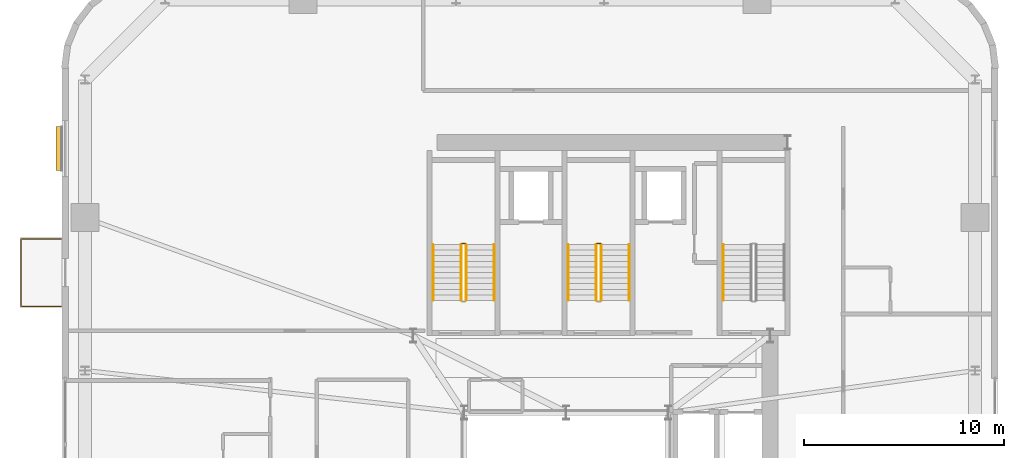
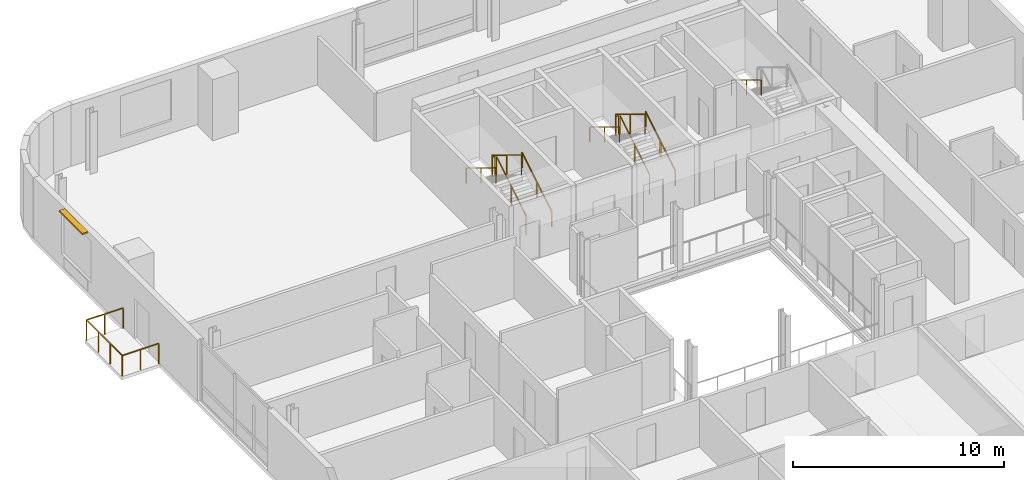
# One storey, part 15 of 16: 12 railings, 1 shading device.
"""IFC4 building model written with IfcOpenShell, lengths in metres."""

from ifc_helpers import new_model, si_unit, direction, frame, origin, origin_2d, place, context, subcontext, project, spatial, rectangle, extrude, source, transform, mapped, material, layer, layer_set, type_object, element, save


model = new_model("IFC4")

# Units and contexts
model_context = context("Model", 3, precision=1e-05, world=origin(), true_north=direction((0.0, 1.0)))
body_context = subcontext(model_context, "Body", "Model", "MODEL_VIEW")
ifc_project = project(units=[si_unit("LENGTHUNIT", "METRE"), si_unit("AREAUNIT", "SQUARE_METRE"), si_unit("VOLUMEUNIT", "CUBIC_METRE"), si_unit("PLANEANGLEUNIT", "RADIAN"), si_unit("MASSUNIT", "GRAM", prefix="KILO")], contexts=[model_context])

# Site, building, storey
site_placement = place(None, origin())
site = spatial("IfcSite", under=ifc_project, at=site_placement, CompositionType="ELEMENT")
building_placement = place(site_placement, origin())
building = spatial("IfcBuilding", under=site, at=building_placement, Name="Vardaveli Station Tower", CompositionType="ELEMENT")
storey_placement = place(building_placement, frame((0.0, 0.0, 203.550048828125)))
storey = spatial("IfcBuildingStorey", under=building, at=storey_placement, Name="L52", CompositionType="ELEMENT", Elevation=203.550048828125)

# Shading device
ifc_material_1 = material(Name="Anodised champagne aluminium sunshade", Category="aluminium")
ifc_layer = layer(ifc_material_1, 0.090087890625, Name="Anodised champagne aluminium sunshade")
ifc_layer_set = layer_set([ifc_layer], Name="Anodised champagne aluminium sunshade")
shading_device_type = type_object("IfcShadingDeviceType", Name="SHD-SUNSHADE", PredefinedType="USERDEFINED", material=ifc_layer_set)
shared_shape_1 = source(origin(), body_context, "Body", "SweptSolid", [
    extrude(rectangle(XDim=2.199951171875, YDim=0.320068359375, at=origin_2d()), origin(), (0.0, 0.0, 1.0), 0.090087890625),
])
shading_device_placement = place(storey_placement, frame((10.955078125, 39.9951171875, 3.40966796875), z_axis=(0.0, 0.0, 1.0), x_axis=(0.0, 1.0, 0.0)))
element("IfcShadingDevice", 1, at=shading_device_placement, inside=storey, type_object=shading_device_type, Name="SHD-SS-L52-W", ObjectType="SUNSHADE", PredefinedType="USERDEFINED", context=body_context, shape_type="MappedRepresentation", body=[
    mapped(shared_shape_1, transform((0.0, 0.0, 0.0), scale=1.0)),
])

# Railings
ifc_material_2 = material(Name="Laminated glass and stainless steel balustrade", Category="steel")
railing_type_1 = type_object("IfcRailingType", Name="RL-BAL-1200", PredefinedType="BALUSTRADE", material=ifc_material_2)
shared_shape_2 = source(origin(), body_context, "Body", "SweptSolid", [
    extrude(rectangle(XDim=0.048095703125, YDim=0.048095703125, at=origin_2d()), frame((0.0, 0.0, 1.17578125), z_axis=(-1.0, 0.0, 0.0), x_axis=(0.0, -1.0, 0.0)), (0.0, 0.0, 1.0), 2.0),
    extrude(rectangle(XDim=0.048095703125, YDim=0.048095703125, at=origin_2d()), frame((-2.0, 0.0, 1.17578125), z_axis=(0.0, 1.0, 0.0), x_axis=(-1.0, 0.0, 0.0)), (0.0, 0.0, 1.0), 3.3798828125),
    extrude(rectangle(XDim=0.048095703125, YDim=0.048095703125, at=origin_2d()), frame((-2.0, 3.3798828125, 1.17578125), z_axis=(1.0, 0.0, 0.0), x_axis=(0.0, 1.0, 0.0)), (0.0, 0.0, 1.0), 2.0),
    extrude(rectangle(XDim=0.0419921875, YDim=0.0419921875, at=origin_2d()), origin(), (0.0, 0.0, 1.0), 1.15185546875),
    extrude(rectangle(XDim=0.0419921875, YDim=0.0419921875, at=origin_2d()), frame((-1.0, 0.0, 0.0)), (0.0, 0.0, 1.0), 1.15185546875),
    extrude(rectangle(XDim=0.0419921875, YDim=0.0419921875, at=origin_2d()), frame((-2.0, 0.0, 0.0)), (0.0, 0.0, 1.0), 1.15185546875),
    extrude(rectangle(XDim=0.0419921875, YDim=0.0419921875, at=origin_2d()), frame((-2.0, 1.126708984375, 0.0)), (0.0, 0.0, 1.0), 1.15185546875),
    extrude(rectangle(XDim=0.0419921875, YDim=0.0419921875, at=origin_2d()), frame((-2.0, 2.253173828125, 0.0)), (0.0, 0.0, 1.0), 1.15185546875),
    extrude(rectangle(XDim=0.0419921875, YDim=0.0419921875, at=origin_2d()), frame((-2.0, 3.3798828125, 0.0)), (0.0, 0.0, 1.0), 1.15185546875),
    extrude(rectangle(XDim=0.0419921875, YDim=0.0419921875, at=origin_2d()), frame((-1.0, 3.3798828125, 0.0)), (0.0, 0.0, 1.0), 1.15185546875),
    extrude(rectangle(XDim=0.0419921875, YDim=0.0419921875, at=origin_2d()), frame((0.0, 3.3798828125, 0.0)), (0.0, 0.0, 1.0), 1.15185546875),
])
railing_placement = place(storey_placement, frame((11.06005859375, 32.099609375, 0.0)))
element("IfcRailing", 2, at=railing_placement, inside=storey, type_object=railing_type_1, Name="RL-LOG-L52-03", PredefinedType="BALUSTRADE", context=body_context, shape_type="MappedRepresentation", body=[
    mapped(shared_shape_2, transform((0.0, 0.0, 0.0), scale=1.0)),
])
ifc_material_3 = material(Name="Brushed AISI 316 stainless steel", Category="steel")
railing_type_2 = type_object("IfcRailingType", Name="RL-GUARD-1150", PredefinedType="GUARDRAIL", material=ifc_material_3)
shared_shape_3 = source(origin(), body_context, "Body", "SweptSolid", [
    extrude(rectangle(XDim=0.048095703125, YDim=0.048095703125, at=origin_2d()), frame((0.0, 0.0, 1.1259765625), z_axis=(-1.0, 0.0, 0.0), x_axis=(0.0, -1.0, 0.0)), (0.0, 0.0, 1.0), 0.14990234375),
    extrude(rectangle(XDim=0.0419921875, YDim=0.0419921875, at=origin_2d()), origin(), (0.0, 0.0, 1.0), 1.101806640625),
    extrude(rectangle(XDim=0.0419921875, YDim=0.0419921875, at=origin_2d()), frame((-0.14990234375, 0.0, 0.0)), (0.0, 0.0, 1.0), 1.101806640625),
])
for number, where, name in (
    (3, (31.25, 35.25, 1.875), "L52 ST-1 stair guard 2"),
    (4, (38.0, 35.25, 1.875), "L52 ST-2 stair guard 2"),
):
    element("IfcRailing", number, at=place(storey_placement, frame(where)), inside=storey, type_object=railing_type_2, Name=name, PredefinedType="GUARDRAIL", context=body_context, shape_type="MappedRepresentation", body=[
        mapped(shared_shape_3, transform((0.0, 0.0, 0.0), scale=1.0)),
    ])
shared_shape_4 = source(origin(), body_context, "Body", "SweptSolid", [
    extrude(rectangle(XDim=0.048095703125, YDim=0.048095703125, at=origin_2d()), frame((0.0, 0.0, 1.1259765625), z_axis=(0.0, 0.854169791009, 0.51999420009), x_axis=(-1.0, 0.0, 0.0)), (0.0, 0.0, 1.0), 3.278076171875),
    extrude(rectangle(XDim=0.0419921875, YDim=0.0419921875, at=origin_2d()), origin(), (0.0, 0.0, 1.0), 1.101806640625),
    extrude(rectangle(XDim=0.0419921875, YDim=0.0419921875, at=origin_2d()), frame((0.0, 1.39990234375, 0.852294921875)), (0.0, 0.0, 1.0), 1.101806640625),
    extrude(rectangle(XDim=0.0419921875, YDim=0.0419921875, at=origin_2d()), frame((0.0, 2.800048828125, 1.70458984375)), (0.0, 0.0, 1.0), 1.101806640625),
])
for number, where, name in (
    (5, (31.300048828125, 32.39990234375, 0.17041015625), "L52 ST-1 stair guard 1"),
    (6, (38.050048828125, 32.39990234375, 0.17041015625), "L52 ST-2 stair guard 1"),
):
    element("IfcRailing", number, at=place(storey_placement, frame(where)), inside=storey, type_object=railing_type_2, Name=name, PredefinedType="GUARDRAIL", context=body_context, shape_type="MappedRepresentation", body=[
        mapped(shared_shape_4, transform((0.0, 0.0, 0.0), scale=1.0)),
    ])
shared_shape_5 = source(origin(), body_context, "Body", "SweptSolid", [
    extrude(rectangle(XDim=0.048095703125, YDim=0.048095703125, at=origin_2d()), frame((0.0, 0.0, 1.1259765625), z_axis=(0.0, -0.854169791009, 0.51999420009), x_axis=(1.0, 0.0, 0.0)), (0.0, 0.0, 1.0), 3.278076171875),
    extrude(rectangle(XDim=0.0419921875, YDim=0.0419921875, at=origin_2d()), origin(), (0.0, 0.0, 1.0), 1.101806640625),
    extrude(rectangle(XDim=0.0419921875, YDim=0.0419921875, at=origin_2d()), frame((0.0, -1.39990234375, 0.852294921875)), (0.0, 0.0, 1.0), 1.101806640625),
    extrude(rectangle(XDim=0.0419921875, YDim=0.0419921875, at=origin_2d()), frame((0.0, -2.800048828125, 1.70458984375)), (0.0, 0.0, 1.0), 1.101806640625),
])
for number, where, name in (
    (7, (31.050048828125, 35.199951171875, 2.04541015625), "L52 ST-1 stair guard 3"),
    (8, (37.800048828125, 35.199951171875, 2.04541015625), "L52 ST-2 stair guard 3"),
):
    element("IfcRailing", number, at=place(storey_placement, frame(where)), inside=storey, type_object=railing_type_2, Name=name, PredefinedType="GUARDRAIL", context=body_context, shape_type="MappedRepresentation", body=[
        mapped(shared_shape_5, transform((0.0, 0.0, 0.0), scale=1.0)),
    ])
railing_type_3 = type_object("IfcRailingType", Name="RL-HAND-900", PredefinedType="HANDRAIL", material=ifc_material_3)
shared_shape_6 = source(origin(), body_context, "Body", "SweptSolid", [
    extrude(rectangle(XDim=0.048095703125, YDim=0.048095703125, at=origin_2d()), frame((0.0, 0.0, 0.8759765625), z_axis=(0.0, 0.854169791009, 0.51999420009), x_axis=(-1.0, 0.0, 0.0)), (0.0, 0.0, 1.0), 3.278076171875),
    extrude(rectangle(XDim=0.0419921875, YDim=0.0419921875, at=origin_2d()), origin(), (0.0, 0.0, 1.0), 0.851806640625),
    extrude(rectangle(XDim=0.0419921875, YDim=0.0419921875, at=origin_2d()), frame((0.0, 1.39990234375, 0.852294921875)), (0.0, 0.0, 1.0), 0.851806640625),
    extrude(rectangle(XDim=0.0419921875, YDim=0.0419921875, at=origin_2d()), frame((0.0, 2.800048828125, 1.70458984375)), (0.0, 0.0, 1.0), 0.851806640625),
])
for number, where, name in (
    (9, (32.699951171875, 32.39990234375, 0.17041015625), "L52 ST-1 stair handrail 1"),
    (10, (39.449951171875, 32.39990234375, 0.17041015625), "L52 ST-2 stair handrail 1"),
):
    element("IfcRailing", number, at=place(storey_placement, frame(where)), inside=storey, type_object=railing_type_3, Name=name, PredefinedType="HANDRAIL", context=body_context, shape_type="MappedRepresentation", body=[
        mapped(shared_shape_6, transform((0.0, 0.0, 0.0), scale=1.0)),
    ])
shared_shape_7 = source(origin(), body_context, "Body", "SweptSolid", [
    extrude(rectangle(XDim=0.048095703125, YDim=0.048095703125, at=origin_2d()), frame((0.0, 0.0, 0.8759765625), z_axis=(0.0, -0.854169791009, 0.51999420009), x_axis=(1.0, 0.0, 0.0)), (0.0, 0.0, 1.0), 3.278076171875),
    extrude(rectangle(XDim=0.0419921875, YDim=0.0419921875, at=origin_2d()), origin(), (0.0, 0.0, 1.0), 0.851806640625),
    extrude(rectangle(XDim=0.0419921875, YDim=0.0419921875, at=origin_2d()), frame((0.0, -1.39990234375, 0.852294921875)), (0.0, 0.0, 1.0), 0.851806640625),
    extrude(rectangle(XDim=0.0419921875, YDim=0.0419921875, at=origin_2d()), frame((0.0, -2.800048828125, 1.70458984375)), (0.0, 0.0, 1.0), 0.851806640625),
])
for number, where, name in (
    (11, (29.64990234375, 35.199951171875, 2.04541015625), "L52 ST-1 stair handrail 2"),
    (12, (36.39990234375, 35.199951171875, 2.04541015625), "L52 ST-2 stair handrail 2"),
    (13, (44.14990234375, 35.199951171875, 2.04541015625), "L52 ST-3 stair handrail 2"),
):
    element("IfcRailing", number, at=place(storey_placement, frame(where)), inside=storey, type_object=railing_type_3, Name=name, PredefinedType="HANDRAIL", context=body_context, shape_type="MappedRepresentation", body=[
        mapped(shared_shape_7, transform((0.0, 0.0, 0.0), scale=1.0)),
    ])

save(model, "model.ifc")
